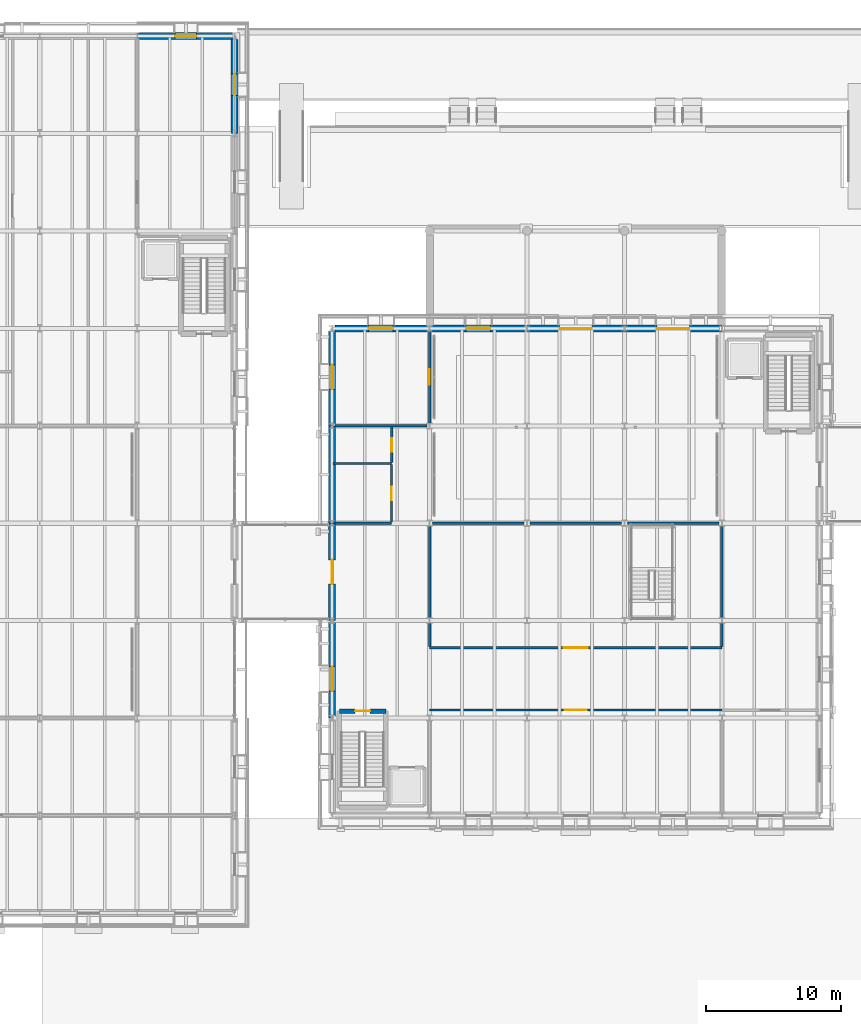
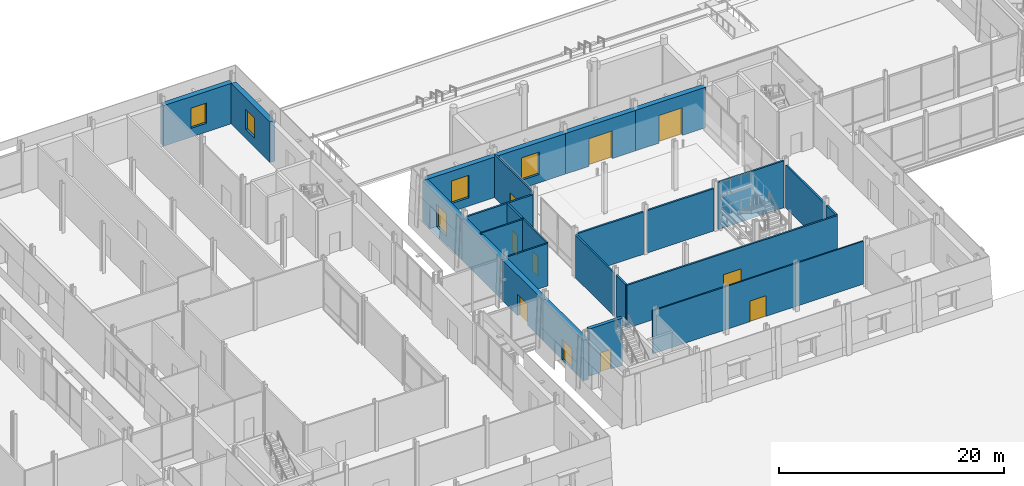
# One storey, part 76 of 120: 26 walls, 10 doors, 5 windows, 15 openings.
"""IFC4 building model written with IfcOpenShell, lengths in metres."""

from ifc_helpers import new_model, si_unit, direction, frame, frame_2d, origin, place, context, subcontext, project, spatial, rectangle, extrude, material, layer, layer_set, type_object, element, fill, save


model = new_model("IFC4")

# Units and contexts
model_context = context("Model", 3, precision=1e-05, world=origin(), true_north=direction((0.0, 1.0)))
body_context = subcontext(model_context, "Body", "Model", "MODEL_VIEW")
ifc_project = project(units=[si_unit("LENGTHUNIT", "METRE"), si_unit("AREAUNIT", "SQUARE_METRE"), si_unit("VOLUMEUNIT", "CUBIC_METRE"), si_unit("PLANEANGLEUNIT", "RADIAN"), si_unit("MASSUNIT", "GRAM", prefix="KILO")], contexts=[model_context])

# Site, building, storey
site_placement = place(None, origin())
site = spatial("IfcSite", under=ifc_project, at=site_placement, CompositionType="ELEMENT")
building_placement = place(site_placement, origin())
building = spatial("IfcBuilding", under=site, at=building_placement, Name="Narikvali Park Central Library", CompositionType="ELEMENT")
storey_placement = place(building_placement, origin())
storey = spatial("IfcBuildingStorey", under=building, at=storey_placement, Name="L00", CompositionType="ELEMENT", Elevation=0.0)

# Walls
ifc_material_1 = material(Name="Moisture-Resistant Cement Board on Steel Studs", Category="steel")
ifc_layer_1 = layer(ifc_material_1, 0.14990234375, Name="Moisture-Resistant Cement Board on Steel Studs")
ifc_layer_set_1 = layer_set([ifc_layer_1], Name="Moisture-Resistant Cement Board on Steel Studs")
wall_type_1 = type_object("IfcWallType", Name="Moisture-Resistant WC Partition 150", PredefinedType="PARTITIONING", material=ifc_layer_set_1)
wall_1_placement = place(storey_placement, frame((65.00439453125, 79.199951171875, 0.0), z_axis=(0.0, 0.0, 1.0), x_axis=(1.0, 0.0, 0.0)))
element("IfcWall", 1, at=wall_1_placement, inside=storey, type_object=wall_type_1, Name="Public Restrooms and Accessible WC L00 Partition S", PredefinedType="PARTITIONING", context=body_context, shape_type="SweptSolid", body=[
    extrude(rectangle(XDim=4.195556640625, YDim=0.14990234375, at=frame_2d((2.09765625, 0.0))), origin(), (0.0, 0.0, 1.0), 4.60498046875),
])
wall_2_placement = place(storey_placement, frame((64.85498046875, 83.60009765625, 0.0), z_axis=(0.0, 0.0, 1.0), x_axis=(1.0, 0.0, 0.0)))
element("IfcWall", 2, at=wall_2_placement, inside=storey, type_object=wall_type_1, Name="Public Restrooms and Accessible WC L00 Partition N", PredefinedType="PARTITIONING", context=body_context, shape_type="SweptSolid", body=[
    extrude(rectangle(XDim=4.344970703125, YDim=0.14990234375, at=frame_2d((2.17236328125, 0.0))), origin(), (0.0, 0.0, 1.0), 4.554931640625),
])

# Wall, opening, door
wall_3_placement = place(storey_placement, frame((69.199951171875, 79.277099609375, 0.0), z_axis=(0.0, 0.0, 1.0), x_axis=(0.0, 1.0, 0.0)))
wall_3 = element("IfcWall", 3, at=wall_3_placement, inside=storey, type_object=wall_type_1, Name="Public Restrooms and Accessible WC L00 Partition E", PredefinedType="PARTITIONING", context=body_context, shape_type="SweptSolid", body=[
    extrude(rectangle(XDim=4.245849609375, YDim=0.14990234375, at=frame_2d((2.123046875, 0.0))), origin(), (0.0, 0.0, 1.0), 4.60498046875),
])
opening_1_placement = place(wall_3_placement, frame((1.633056640625, 0.0, 0.0)))
opening_1 = element("IfcOpeningElement", 4, at=opening_1_placement, cuts=wall_3, Name="Opening ID-0001", PredefinedType="OPENING", context=body_context, shape_type="SweptSolid", body=[
    extrude(rectangle(XDim=0.97998046875, YDim=2.10009765625, at=frame_2d((0.489990234375, 1.050048828125))), frame((0.0, 0.0869140625, 0.0), z_axis=(0.0, -1.0, 0.0), x_axis=(1.0, 0.0, 0.0)), (0.0, 0.0, 1.0), 0.173828125),
])
ifc_material_2 = material(Name="Laminate Faced Hardwood Core", Category="wood")
door_type_1 = type_object("IfcDoorType", Name="Accessible WC Outward-Opening Door 980x2100", OperationType="SINGLE_SWING_RIGHT", PredefinedType="DOOR", material=ifc_material_2)
door_1_placement = place(opening_1_placement, frame((0.97998046875, 0.0, 0.0), z_axis=(0.0, 0.0, 1.0), x_axis=(-1.0, 0.0, 0.0)))
door_1 = element("IfcDoor", 5, at=door_1_placement, inside=storey, type_object=door_type_1, Name="Public Restrooms and Accessible WC L00 Door ID-0001", OperationType="SINGLE_SWING_LEFT", OverallHeight=2.10009765625, OverallWidth=0.97998046875, PredefinedType="DOOR", context=body_context, shape_type="SweptSolid", body=[
    extrude(rectangle(XDim=0.97998046875, YDim=2.10009765625, at=frame_2d((0.489990234375, 1.050048828125))), frame((0.0, 0.02490234375, 0.0), z_axis=(0.0, -1.0, 0.0), x_axis=(1.0, 0.0, 0.0)), (0.0, 0.0, 1.0), 0.050048828125),
])
fill(opening_1, door_1)

ifc_material_3 = material(Name="Gypsum Board on Galvanised Steel Studs", Category="steel")
ifc_layer_2 = layer(ifc_material_3, 0.139892578125, Name="Gypsum Board on Galvanised Steel Studs")
ifc_layer_set_2 = layer_set([ifc_layer_2], Name="Gypsum Board on Galvanised Steel Studs")
wall_type_2 = type_object("IfcWallType", Name="Periodicals Partition Wall 140", PredefinedType="PARTITIONING", material=ifc_layer_set_2)
wall_4_placement = place(storey_placement, frame((72.0, 65.39990234375, 0.0), z_axis=(0.0, 0.0, 1.0), x_axis=(1.0, 0.0, 0.0)))
wall_4 = element("IfcWall", 6, at=wall_4_placement, inside=storey, type_object=wall_type_2, Name="Periodicals Reading Room Partition N", PredefinedType="PARTITIONING", context=body_context, shape_type="SweptSolid", body=[
    extrude(rectangle(XDim=21.60009765625, YDim=0.139892578125, at=frame_2d((10.800048828125, 0.0))), origin(), (0.0, 0.0, 1.0), 4.6650390625),
])
opening_2_placement = place(wall_4_placement, frame((9.97509765625, 0.0, 0.0)))
opening_2 = element("IfcOpeningElement", 7, at=opening_2_placement, cuts=wall_4, Name="Opening ID-0034", PredefinedType="OPENING", context=body_context, shape_type="SweptSolid", body=[
    extrude(rectangle(XDim=1.64990234375, YDim=2.25, at=frame_2d((0.824951171875, 1.125))), frame((0.0, 0.08203125, 0.0), z_axis=(0.0, -1.0, 0.0), x_axis=(1.0, 0.0, 0.0)), (0.0, 0.0, 1.0), 0.163818359375),
])
ifc_material_4 = material(Name="Caucasian Oak and Tempered Glass", Category="glass")
door_type_2 = type_object("IfcDoorType", Name="Open Stacks Double Glazed Door 1650x2250", OperationType="DOUBLE_DOOR_SINGLE_SWING", PredefinedType="DOOR", material=ifc_material_4)
door_2_placement = place(opening_2_placement, frame((1.64990234375, 0.0, 0.0), z_axis=(0.0, 0.0, 1.0), x_axis=(-1.0, 0.0, 0.0)))
door_2 = element("IfcDoor", 8, at=door_2_placement, inside=storey, type_object=door_type_2, Name="Periodicals Reading Room Door ID-0034", OperationType="DOUBLE_DOOR_SINGLE_SWING", OverallHeight=2.25, OverallWidth=1.64990234375, PredefinedType="DOOR", context=body_context, shape_type="SweptSolid", body=[
    extrude(rectangle(XDim=1.64990234375, YDim=2.25, at=frame_2d((0.824951171875, 1.125))), frame((0.0, 0.02490234375, 0.0), z_axis=(0.0, -1.0, 0.0), x_axis=(1.0, 0.0, 0.0)), (0.0, 0.0, 1.0), 0.050048828125),
])
fill(opening_2, door_2)

# Wall
ifc_material_5 = material(Name="Acoustic Gypsum on Steel Studs", Category="steel")
ifc_layer_3 = layer(ifc_material_5, 0.179931640625, Name="Acoustic Gypsum on Steel Studs")
ifc_layer_set_3 = layer_set([ifc_layer_3], Name="Acoustic Gypsum on Steel Studs")
wall_type_3 = type_object("IfcWallType", Name="Reading Room Acoustic Partition 180", PredefinedType="PARTITIONING", material=ifc_layer_set_3)
wall_5_placement = place(storey_placement, frame((65.00439453125, 86.39990234375, 0.0), z_axis=(0.0, 0.0, 1.0), x_axis=(1.0, 0.0, 0.0)))
element("IfcWall", 9, at=wall_5_placement, inside=storey, type_object=wall_type_3, Name="Fire Command Center Partition S", PredefinedType="PARTITIONING", context=body_context, shape_type="SweptSolid", body=[
    extrude(rectangle(XDim=6.78955078125, YDim=0.179931640625, at=frame_2d((3.394775390625, 0.0))), origin(), (0.0, 0.0, 1.0), 4.60498046875),
])

# Wall, opening, door
wall_6_placement = place(storey_placement, frame((72.0, 70.0, 0.0), z_axis=(0.0, 0.0, 1.0), x_axis=(1.0, 0.0, 0.0)))
wall_6 = element("IfcWall", 10, at=wall_6_placement, inside=storey, type_object=wall_type_3, Name="Bibliographic Catalogue Hall Partition S", PredefinedType="PARTITIONING", context=body_context, shape_type="SweptSolid", body=[
    extrude(rectangle(XDim=21.60009765625, YDim=0.179931640625, at=frame_2d((10.800048828125, 0.0))), origin(), (0.0, 0.0, 1.0), 4.6650390625),
])
opening_3_placement = place(wall_6_placement, frame((9.89990234375, 0.0, 0.0)))
opening_3 = element("IfcOpeningElement", 11, at=opening_3_placement, cuts=wall_6, Name="Opening ID-0035", PredefinedType="OPENING", context=body_context, shape_type="SweptSolid", body=[
    extrude(rectangle(XDim=1.800048828125, YDim=2.35009765625, at=frame_2d((0.89990234375, 1.175048828125))), frame((0.0, 0.10205078125, 0.0), z_axis=(0.0, -1.0, 0.0), x_axis=(1.0, 0.0, 0.0)), (0.0, 0.0, 1.0), 0.203857421875),
])
ifc_material_6 = material(Name="Solid Caucasian Oak and Acoustic Glass", Category="glass")
door_type_3 = type_object("IfcDoorType", Name="Reading Hall Double Oak Acoustic Door 1800x2350", OperationType="DOUBLE_DOOR_SINGLE_SWING", PredefinedType="DOOR", material=ifc_material_6)
door_3_placement = place(opening_3_placement, origin())
door_3 = element("IfcDoor", 12, at=door_3_placement, inside=storey, type_object=door_type_3, Name="Bibliographic Catalogue Hall Door ID-0035", OperationType="DOUBLE_DOOR_SINGLE_SWING", OverallHeight=2.35009765625, OverallWidth=1.800048828125, PredefinedType="DOOR", context=body_context, shape_type="SweptSolid", body=[
    extrude(rectangle(XDim=1.800048828125, YDim=2.35009765625, at=frame_2d((0.89990234375, 1.175048828125))), frame((0.0, 0.02490234375, 0.0), z_axis=(0.0, -1.0, 0.0), x_axis=(1.0, 0.0, 0.0)), (0.0, 0.0, 1.0), 0.050048828125),
])
fill(opening_3, door_3)

# Walls
wall_7_placement = place(storey_placement, frame((72.2060546875, 79.199951171875, 0.0), z_axis=(0.0, 0.0, 1.0), x_axis=(1.0, 0.0, 0.0)))
element("IfcWall", 13, at=wall_7_placement, inside=storey, type_object=wall_type_3, Name="Bibliographic Catalogue Hall Partition N", PredefinedType="PARTITIONING", context=body_context, shape_type="SweptSolid", body=[
    extrude(rectangle(XDim=6.787841796875, YDim=0.179931640625, at=frame_2d((3.39404296875, 0.0))), origin(), (0.0, 0.0, 1.0), 4.60498046875),
])
wall_8_placement = place(storey_placement, frame((79.406005859375, 79.199951171875, 0.0), z_axis=(0.0, 0.0, 1.0), x_axis=(1.0, 0.0, 0.0)))
element("IfcWall", 14, at=wall_8_placement, inside=storey, type_object=wall_type_3, Name="Bibliographic Catalogue Hall Partition N", PredefinedType="PARTITIONING", context=body_context, shape_type="SweptSolid", body=[
    extrude(rectangle(XDim=6.7880859375, YDim=0.179931640625, at=frame_2d((3.39404296875, 0.0))), origin(), (0.0, 0.0, 1.0), 4.60498046875),
])
wall_9_placement = place(storey_placement, frame((86.60595703125, 79.199951171875, 0.0), z_axis=(0.0, 0.0, 1.0), x_axis=(1.0, 0.0, 0.0)))
element("IfcWall", 15, at=wall_9_placement, inside=storey, type_object=wall_type_3, Name="Bibliographic Catalogue Hall Partition N", PredefinedType="PARTITIONING", context=body_context, shape_type="SweptSolid", body=[
    extrude(rectangle(XDim=6.7880859375, YDim=0.179931640625, at=frame_2d((3.39404296875, 0.0))), origin(), (0.0, 0.0, 1.0), 5.10498046875),
])

# Wall, opening, door
wall_10_placement = place(storey_placement, frame((72.0, 86.607421875, 0.0), z_axis=(0.0, 0.0, 1.0), x_axis=(0.0, 1.0, 0.0)))
wall_10 = element("IfcWall", 16, at=wall_10_placement, inside=storey, type_object=wall_type_3, Name="Fire Command Center Partition E", PredefinedType="PARTITIONING", context=body_context, shape_type="SweptSolid", body=[
    extrude(rectangle(XDim=6.7890625, YDim=0.179931640625, at=frame_2d((3.39453125, 0.0))), origin(), (0.0, 0.0, 1.0), 4.6650390625),
])
opening_4_placement = place(wall_10_placement, frame((2.819580078125, 0.0, 0.0)))
opening_4 = element("IfcOpeningElement", 17, at=opening_4_placement, cuts=wall_10, Name="Opening ID-0032", PredefinedType="OPENING", context=body_context, shape_type="SweptSolid", body=[
    extrude(rectangle(XDim=1.14990234375, YDim=2.199951171875, at=frame_2d((0.574951171875, 1.10009765625))), frame((0.0, 0.10205078125, 0.0), z_axis=(0.0, -1.0, 0.0), x_axis=(1.0, 0.0, 0.0)), (0.0, 0.0, 1.0), 0.203857421875),
])
ifc_material_7 = material(Name="Powder-Coated Steel S275", Category="steel")
door_type_4 = type_object("IfcDoorType", Name="Conservation Lab Clean Door 1150x2200", OperationType="SINGLE_SWING_RIGHT", PredefinedType="DOOR", material=ifc_material_7)
door_4_placement = place(opening_4_placement, origin())
door_4 = element("IfcDoor", 18, at=door_4_placement, inside=storey, type_object=door_type_4, Name="Fire Command Center Door ID-0032", OperationType="SINGLE_SWING_RIGHT", OverallHeight=2.199951171875, OverallWidth=1.14990234375, PredefinedType="DOOR", context=body_context, shape_type="SweptSolid", body=[
    extrude(rectangle(XDim=1.14990234375, YDim=2.199951171875, at=frame_2d((0.574951171875, 1.10009765625))), frame((0.0, 0.02490234375, 0.0), z_axis=(0.0, -1.0, 0.0), x_axis=(1.0, 0.0, 0.0)), (0.0, 0.0, 1.0), 0.050048828125),
])
fill(opening_4, door_4)

wall_11_placement = place(storey_placement, frame((69.199951171875, 83.677001953125, 0.0), z_axis=(0.0, 0.0, 1.0), x_axis=(0.0, 1.0, 0.0)))
wall_11 = element("IfcWall", 19, at=wall_11_placement, inside=storey, type_object=wall_type_3, Name="Ground Custodial Closet Partition E", PredefinedType="PARTITIONING", context=body_context, shape_type="SweptSolid", body=[
    extrude(rectangle(XDim=2.631103515625, YDim=0.179931640625, at=frame_2d((1.3154296875, 0.0))), origin(), (0.0, 0.0, 1.0), 4.60498046875),
])
opening_5_placement = place(wall_11_placement, frame((0.8154296875, 0.0, 0.0)))
opening_5 = element("IfcOpeningElement", 20, at=opening_5_placement, cuts=wall_11, Name="Opening ID-0033", PredefinedType="OPENING", context=body_context, shape_type="SweptSolid", body=[
    extrude(rectangle(XDim=1.0, YDim=2.14990234375, at=frame_2d((0.5, 1.074951171875))), frame((0.0, 0.10205078125, 0.0), z_axis=(0.0, -1.0, 0.0), x_axis=(1.0, 0.0, 0.0)), (0.0, 0.0, 1.0), 0.203857421875),
])
ifc_material_8 = material(Name="Solid Caucasian Oak")
door_type_5 = type_object("IfcDoorType", Name="Study Room Single Oak Door 1000x2150", OperationType="SINGLE_SWING_LEFT", PredefinedType="DOOR", material=ifc_material_8)
door_5_placement = place(opening_5_placement, origin())
door_5 = element("IfcDoor", 21, at=door_5_placement, inside=storey, type_object=door_type_5, Name="Ground Custodial Closet Door ID-0033", OperationType="SINGLE_SWING_LEFT", OverallHeight=2.14990234375, OverallWidth=1.0, PredefinedType="DOOR", context=body_context, shape_type="SweptSolid", body=[
    extrude(rectangle(XDim=1.0, YDim=2.14990234375, at=frame_2d((0.5, 1.074951171875))), frame((0.0, 0.02490234375, 0.0), z_axis=(0.0, -1.0, 0.0), x_axis=(1.0, 0.0, 0.0)), (0.0, 0.0, 1.0), 0.050048828125),
])
fill(opening_5, door_5)

# Walls
wall_12_placement = place(storey_placement, frame((72.0, 70.092041015625, 0.0), z_axis=(0.0, 0.0, 1.0), x_axis=(0.0, 1.0, 0.0)))
element("IfcWall", 22, at=wall_12_placement, inside=storey, type_object=wall_type_3, Name="Bibliographic Catalogue Hall Partition W", PredefinedType="PARTITIONING", context=body_context, shape_type="SweptSolid", body=[
    extrude(rectangle(XDim=1.700439453125, YDim=0.179931640625, at=frame_2d((0.85009765625, 0.0))), origin(), (0.0, 0.0, 1.0), 4.6650390625),
])
wall_13_placement = place(storey_placement, frame((72.0, 72.20751953125, 0.0), z_axis=(0.0, 0.0, 1.0), x_axis=(0.0, 1.0, 0.0)))
element("IfcWall", 23, at=wall_13_placement, inside=storey, type_object=wall_type_3, Name="Bibliographic Catalogue Hall Partition W", PredefinedType="PARTITIONING", context=body_context, shape_type="SweptSolid", body=[
    extrude(rectangle(XDim=6.784912109375, YDim=0.179931640625, at=frame_2d((3.392578125, 0.0))), origin(), (0.0, 0.0, 1.0), 4.6650390625),
])
wall_14_placement = place(storey_placement, frame((93.60009765625, 70.092041015625, 0.0), z_axis=(0.0, 0.0, 1.0), x_axis=(0.0, 1.0, 0.0)))
element("IfcWall", 24, at=wall_14_placement, inside=storey, type_object=wall_type_3, Name="Bibliographic Catalogue Hall Partition E", PredefinedType="PARTITIONING", context=body_context, shape_type="SweptSolid", body=[
    extrude(rectangle(XDim=1.700439453125, YDim=0.179931640625, at=frame_2d((0.85009765625, 0.0))), origin(), (0.0, 0.0, 1.0), 4.6650390625),
])
wall_15_placement = place(storey_placement, frame((93.60009765625, 72.20751953125, 0.0), z_axis=(0.0, 0.0, 1.0), x_axis=(0.0, 1.0, 0.0)))
element("IfcWall", 25, at=wall_15_placement, inside=storey, type_object=wall_type_3, Name="Bibliographic Catalogue Hall Partition E", PredefinedType="PARTITIONING", context=body_context, shape_type="SweptSolid", body=[
    extrude(rectangle(XDim=6.784912109375, YDim=0.179931640625, at=frame_2d((3.392578125, 0.0))), origin(), (0.0, 0.0, 1.0), 4.6650390625),
])

# Wall, opening, door
ifc_material_9 = material(Name="Concrete C40/50", Category="concrete")
ifc_layer_4 = layer(ifc_material_9, 0.35009765625, Name="Concrete C40/50")
ifc_layer_set_4 = layer_set([ifc_layer_4], Name="Concrete C40/50")
wall_type_4 = type_object("IfcWallType", Name="Reinforced Concrete Core Shear Wall 350", PredefinedType="SHEAR", material=ifc_layer_set_4)
wall_16_placement = place(storey_placement, frame((68.77001953125, 65.320068359375, 0.0), z_axis=(0.0, 0.0, 1.0), x_axis=(-1.0, 0.0, 0.0)))
wall_16 = element("IfcWall", 26, at=wall_16_placement, inside=storey, type_object=wall_type_4, Name="C1A L00 Stair Core Shear Wall N", PredefinedType="SHEAR", context=body_context, shape_type="SweptSolid", body=[
    extrude(rectangle(XDim=3.43994140625, YDim=0.35009765625, at=frame_2d((1.719970703125, 0.0))), origin(), (0.0, 0.0, 1.0), 5.1201171875),
])
opening_6_placement = place(wall_16_placement, frame((1.169921875, 0.0, 0.0)))
opening_6 = element("IfcOpeningElement", 27, at=opening_6_placement, cuts=wall_16, Name="Opening SD-002", PredefinedType="OPENING", context=body_context, shape_type="SweptSolid", body=[
    extrude(rectangle(XDim=1.10009765625, YDim=2.14990234375, at=frame_2d((0.550048828125, 1.074951171875))), frame((0.0, 0.18701171875, 0.0), z_axis=(0.0, -1.0, 0.0), x_axis=(1.0, 0.0, 0.0)), (0.0, 0.0, 1.0), 0.3740234375),
])
ifc_material_10 = material(Name="Powder-Coated Steel S275 Fire Leaf", Category="steel")
door_type_6 = type_object("IfcDoorType", Name="Stair Core Smoke-Control Fire Door 1100x2150", OperationType="SINGLE_SWING_LEFT", PredefinedType="DOOR", material=ifc_material_10)
door_6_placement = place(opening_6_placement, frame((1.10009765625, 0.0, 0.0), z_axis=(0.0, 0.0, 1.0), x_axis=(-1.0, 0.0, 0.0)))
door_6 = element("IfcDoor", 28, at=door_6_placement, inside=storey, type_object=door_type_6, Name="ST-01 L00 Stair Exit Door SD-002", OperationType="SINGLE_SWING_RIGHT", OverallHeight=2.14990234375, OverallWidth=1.10009765625, PredefinedType="DOOR", context=body_context, shape_type="SweptSolid", body=[
    extrude(rectangle(XDim=1.10009765625, YDim=2.14990234375, at=frame_2d((0.550048828125, 1.074951171875))), frame((0.0, 0.02490234375, 0.0), z_axis=(0.0, -1.0, 0.0), x_axis=(1.0, 0.0, 0.0)), (0.0, 0.0, 1.0), 0.050048828125),
])
fill(opening_6, door_6)

ifc_material_11 = material(Name="White Rusticated Limestone over Concrete C35/45", Category="masonry")
ifc_layer_5 = layer(ifc_material_11, 0.52001953125, Name="White Rusticated Limestone over Concrete C35/45")
ifc_layer_set_5 = layer_set([ifc_layer_5], Name="White Rusticated Limestone over Concrete C35/45")
wall_type_5 = type_object("IfcWallType", Name="White Limestone Ashlar Plinth Wall 520", PredefinedType="SOLIDWALL", material=ifc_layer_set_5)
wall_17_placement = place(storey_placement, frame((93.60009765625, 93.60009765625, 0.0), z_axis=(0.0, 0.0, 1.0), x_axis=(-1.0, 0.0, 0.0)))
wall_17 = element("IfcWall", 29, at=wall_17_placement, inside=storey, type_object=wall_type_5, Name="V1 L00 N Exterior Limestone Wall B02", PredefinedType="SOLIDWALL", context=body_context, shape_type="SweptSolid", body=[
    extrude(rectangle(XDim=7.2001953125, YDim=0.52001953125, at=frame_2d((3.60009765625, 0.0))), origin(), (0.0, 0.0, 1.0), 4.39990234375),
])
opening_7_placement = place(wall_17_placement, frame((2.39990234375, 0.0, 0.0)))
opening_7 = element("IfcOpeningElement", 30, at=opening_7_placement, cuts=wall_17, Name="Opening ED-003", PredefinedType="OPENING", context=body_context, shape_type="SweptSolid", body=[
    extrude(rectangle(XDim=2.39990234375, YDim=3.0, at=frame_2d((1.199951171875, 1.5))), frame((0.0, 0.27197265625, 0.0), z_axis=(0.0, -1.0, 0.0), x_axis=(1.0, 0.0, 0.0)), (0.0, 0.0, 1.0), 0.5439453125),
])
ifc_material_12 = material(Name="Anodised Architectural Bronze and Tempered Glass", Category="glass")
door_type_7 = type_object("IfcDoorType", Name="Grand Beaux-Arts Bronze Double Entrance Door 2400x3000", OperationType="DOUBLE_DOOR_SINGLE_SWING", PredefinedType="DOOR", material=ifc_material_12)
door_7_placement = place(opening_7_placement, frame((2.39990234375, 0.0, 0.0), z_axis=(0.0, 0.0, 1.0), x_axis=(-1.0, 0.0, 0.0)))
door_7 = element("IfcDoor", 31, at=door_7_placement, inside=storey, type_object=door_type_7, Name="Grand Rotunda Entrance Door ED-003", OperationType="DOUBLE_DOOR_SINGLE_SWING", OverallHeight=3.0, OverallWidth=2.39990234375, PredefinedType="DOOR", context=body_context, shape_type="SweptSolid", body=[
    extrude(rectangle(XDim=2.39990234375, YDim=3.0, at=frame_2d((1.199951171875, 1.5))), frame((0.0, 0.02490234375, 0.0), z_axis=(0.0, -1.0, 0.0), x_axis=(1.0, 0.0, 0.0)), (0.0, 0.0, 1.0), 0.050048828125),
])
fill(opening_7, door_7)

wall_18_placement = place(storey_placement, frame((86.39990234375, 93.60009765625, 0.0), z_axis=(0.0, 0.0, 1.0), x_axis=(-1.0, 0.0, 0.0)))
wall_18 = element("IfcWall", 32, at=wall_18_placement, inside=storey, type_object=wall_type_5, Name="V1 L00 N Exterior Limestone Wall B03", PredefinedType="SOLIDWALL", context=body_context, shape_type="SweptSolid", body=[
    extrude(rectangle(XDim=7.199951171875, YDim=0.52001953125, at=frame_2d((3.60009765625, 0.0))), origin(), (0.0, 0.0, 1.0), 4.39990234375),
])
opening_8_placement = place(wall_18_placement, frame((2.39990234375, 0.0, 0.0)))
opening_8 = element("IfcOpeningElement", 33, at=opening_8_placement, cuts=wall_18, Name="Opening ED-004", PredefinedType="OPENING", context=body_context, shape_type="SweptSolid", body=[
    extrude(rectangle(XDim=2.39990234375, YDim=3.0, at=frame_2d((1.199951171875, 1.5))), frame((0.0, 0.27197265625, 0.0), z_axis=(0.0, -1.0, 0.0), x_axis=(1.0, 0.0, 0.0)), (0.0, 0.0, 1.0), 0.5439453125),
])
door_8_placement = place(opening_8_placement, frame((2.39990234375, 0.0, 0.0), z_axis=(0.0, 0.0, 1.0), x_axis=(-1.0, 0.0, 0.0)))
door_8 = element("IfcDoor", 34, at=door_8_placement, inside=storey, type_object=door_type_7, Name="Grand Rotunda Entrance Door ED-004", OperationType="DOUBLE_DOOR_SINGLE_SWING", OverallHeight=3.0, OverallWidth=2.39990234375, PredefinedType="DOOR", context=body_context, shape_type="SweptSolid", body=[
    extrude(rectangle(XDim=2.39990234375, YDim=3.0, at=frame_2d((1.199951171875, 1.5))), frame((0.0, 0.02490234375, 0.0), z_axis=(0.0, -1.0, 0.0), x_axis=(1.0, 0.0, 0.0)), (0.0, 0.0, 1.0), 0.050048828125),
])
fill(opening_8, door_8)

# Wall, opening, window
wall_19_placement = place(storey_placement, frame((79.199951171875, 93.60009765625, 0.0), z_axis=(0.0, 0.0, 1.0), x_axis=(-1.0, 0.0, 0.0)))
wall_19 = element("IfcWall", 35, at=wall_19_placement, inside=storey, type_object=wall_type_5, Name="V1 L00 N Exterior Limestone Wall B04", PredefinedType="SOLIDWALL", context=body_context, shape_type="SweptSolid", body=[
    extrude(rectangle(XDim=7.199951171875, YDim=0.52001953125, at=frame_2d((3.60009765625, 0.0))), origin(), (0.0, 0.0, 1.0), 4.39990234375),
])
opening_9_placement = place(wall_19_placement, frame((2.699951171875, 0.0, 0.89990234375)))
opening_9 = element("IfcOpeningElement", 36, at=opening_9_placement, cuts=wall_19, Name="Opening WIN-0007", PredefinedType="OPENING", context=body_context, shape_type="SweptSolid", body=[
    extrude(rectangle(XDim=1.800048828125, YDim=2.449951171875, at=frame_2d((0.89990234375, 1.22509765625))), frame((0.0, 0.27197265625, 0.0), z_axis=(0.0, -1.0, 0.0), x_axis=(1.0, 0.0, 0.0)), (0.0, 0.0, 1.0), 0.5439453125),
])
ifc_material_13 = material(Name="Anodised Bronze Aluminium and Low-E Triple Glazing", Category="aluminium")
window_type_1 = type_object("IfcWindowType", Name="Rotunda Piano Nobile Tall Classical Window 1800x2450", PartitioningType="DOUBLE_PANEL_VERTICAL", PredefinedType="WINDOW", material=ifc_material_13)
window_1_placement = place(opening_9_placement, origin())
window_1 = element("IfcWindow", 37, at=window_1_placement, inside=storey, type_object=window_type_1, Name="V1 L00 N Deep-Reveal Window WIN-0007", OverallHeight=2.449951171875, OverallWidth=1.800048828125, PartitioningType="SINGLE_PANEL", PredefinedType="WINDOW", context=body_context, shape_type="SweptSolid", body=[
    extrude(rectangle(XDim=1.800048828125, YDim=2.449951171875, at=frame_2d((0.89990234375, 1.22509765625))), frame((0.0, 0.030029296875, 0.0), z_axis=(0.0, -1.0, 0.0), x_axis=(1.0, 0.0, 0.0)), (0.0, 0.0, 1.0), 0.06005859375),
])
fill(opening_9, window_1)

wall_20_placement = place(storey_placement, frame((72.0, 93.60009765625, 0.0), z_axis=(0.0, 0.0, 1.0), x_axis=(-1.0, 0.0, 0.0)))
wall_20 = element("IfcWall", 38, at=wall_20_placement, inside=storey, type_object=wall_type_5, Name="V1 L00 N Exterior Limestone Wall B05", PredefinedType="SOLIDWALL", context=body_context, shape_type="SweptSolid", body=[
    extrude(rectangle(XDim=6.99560546875, YDim=0.52001953125, at=frame_2d((3.497802734375, 0.0))), origin(), (0.0, 0.0, 1.0), 4.39990234375),
])
opening_10_placement = place(wall_20_placement, frame((2.699951171875, 0.0, 0.89990234375)))
opening_10 = element("IfcOpeningElement", 39, at=opening_10_placement, cuts=wall_20, Name="Opening WIN-0008", PredefinedType="OPENING", context=body_context, shape_type="SweptSolid", body=[
    extrude(rectangle(XDim=1.800048828125, YDim=2.449951171875, at=frame_2d((0.89990234375, 1.22509765625))), frame((0.0, 0.27197265625, 0.0), z_axis=(0.0, -1.0, 0.0), x_axis=(1.0, 0.0, 0.0)), (0.0, 0.0, 1.0), 0.5439453125),
])
window_2_placement = place(opening_10_placement, origin())
window_2 = element("IfcWindow", 40, at=window_2_placement, inside=storey, type_object=window_type_1, Name="V1 L00 N Deep-Reveal Window WIN-0008", OverallHeight=2.449951171875, OverallWidth=1.800048828125, PartitioningType="SINGLE_PANEL", PredefinedType="WINDOW", context=body_context, shape_type="SweptSolid", body=[
    extrude(rectangle(XDim=1.800048828125, YDim=2.449951171875, at=frame_2d((0.89990234375, 1.22509765625))), frame((0.0, 0.030029296875, 0.0), z_axis=(0.0, -1.0, 0.0), x_axis=(1.0, 0.0, 0.0)), (0.0, 0.0, 1.0), 0.06005859375),
])
fill(opening_10, window_2)

wall_21_placement = place(storey_placement, frame((64.800048828125, 93.396484375, 0.0), z_axis=(0.0, 0.0, 1.0), x_axis=(0.0, -1.0, 0.0)))
wall_21 = element("IfcWall", 41, at=wall_21_placement, inside=storey, type_object=wall_type_5, Name="V1 L00 W Exterior Limestone Wall B01", PredefinedType="SOLIDWALL", context=body_context, shape_type="SweptSolid", body=[
    extrude(rectangle(XDim=6.99658203125, YDim=0.52001953125, at=frame_2d((3.498291015625, 0.0))), origin(), (0.0, 0.0, 1.0), 4.39990234375),
])
opening_11_placement = place(wall_21_placement, frame((2.49658203125, 0.0, 0.89990234375)))
opening_11 = element("IfcOpeningElement", 42, at=opening_11_placement, cuts=wall_21, Name="Opening WIN-0009", PredefinedType="OPENING", context=body_context, shape_type="SweptSolid", body=[
    extrude(rectangle(XDim=1.800048828125, YDim=2.449951171875, at=frame_2d((0.89990234375, 1.22509765625))), frame((0.0, 0.27197265625, 0.0), z_axis=(0.0, -1.0, 0.0), x_axis=(1.0, 0.0, 0.0)), (0.0, 0.0, 1.0), 0.5439453125),
])
window_3_placement = place(opening_11_placement, origin())
window_3 = element("IfcWindow", 43, at=window_3_placement, inside=storey, type_object=window_type_1, Name="V1 L00 W Deep-Reveal Window WIN-0009", OverallHeight=2.449951171875, OverallWidth=1.800048828125, PartitioningType="SINGLE_PANEL", PredefinedType="WINDOW", context=body_context, shape_type="SweptSolid", body=[
    extrude(rectangle(XDim=1.800048828125, YDim=2.449951171875, at=frame_2d((0.89990234375, 1.22509765625))), frame((0.0, 0.030029296875, 0.0), z_axis=(0.0, -1.0, 0.0), x_axis=(1.0, 0.0, 0.0)), (0.0, 0.0, 1.0), 0.06005859375),
])
fill(opening_11, window_3)

# Wall
wall_22_placement = place(storey_placement, frame((64.800048828125, 86.39990234375, 0.0), z_axis=(0.0, 0.0, 1.0), x_axis=(0.0, -1.0, 0.0)))
element("IfcWall", 44, at=wall_22_placement, inside=storey, type_object=wall_type_5, Name="V1 L00 W Exterior Limestone Wall B02", PredefinedType="SOLIDWALL", context=body_context, shape_type="SweptSolid", body=[
    extrude(rectangle(XDim=7.199951171875, YDim=0.52001953125, at=frame_2d((3.60009765625, 0.0))), origin(), (0.0, 0.0, 1.0), 4.39990234375),
])

# Wall, opening, door
wall_23_placement = place(storey_placement, frame((64.800048828125, 79.199951171875, 0.0), z_axis=(0.0, 0.0, 1.0), x_axis=(0.0, -1.0, 0.0)))
wall_23 = element("IfcWall", 45, at=wall_23_placement, inside=storey, type_object=wall_type_5, Name="V1 L00 W Exterior Limestone Wall B03", PredefinedType="SOLIDWALL", context=body_context, shape_type="SweptSolid", body=[
    extrude(rectangle(XDim=7.199951171875, YDim=0.52001953125, at=frame_2d((3.60009765625, 0.0))), origin(), (0.0, 0.0, 1.0), 4.39990234375),
])
opening_12_placement = place(wall_23_placement, frame((2.699951171875, 0.0, 0.0)))
opening_12 = element("IfcOpeningElement", 46, at=opening_12_placement, cuts=wall_23, Name="Opening BD-005", PredefinedType="OPENING", context=body_context, shape_type="SweptSolid", body=[
    extrude(rectangle(XDim=1.800048828125, YDim=2.300048828125, at=frame_2d((0.89990234375, 1.14990234375))), frame((0.0, 0.27197265625, 0.0), z_axis=(0.0, -1.0, 0.0), x_axis=(1.0, 0.0, 0.0)), (0.0, 0.0, 1.0), 0.5439453125),
])
ifc_material_14 = material(Name="Fire-Rated Glazing in Steel S275 Frame", Category="steel")
door_type_8 = type_object("IfcDoorType", Name="Glazed Double Corridor Bridge Fire Door 1800x2300", OperationType="DOUBLE_DOOR_SINGLE_SWING", PredefinedType="DOOR", material=ifc_material_14)
door_9_placement = place(opening_12_placement, frame((1.800048828125, 0.0, 0.0), z_axis=(0.0, 0.0, 1.0), x_axis=(-1.0, 0.0, 0.0)))
door_9 = element("IfcDoor", 47, at=door_9_placement, inside=storey, type_object=door_type_8, Name="V1 L00 Covered Bridge Fire Door BD-005", OperationType="DOUBLE_DOOR_SINGLE_SWING", OverallHeight=2.300048828125, OverallWidth=1.800048828125, PredefinedType="DOOR", context=body_context, shape_type="SweptSolid", body=[
    extrude(rectangle(XDim=1.800048828125, YDim=2.300048828125, at=frame_2d((0.89990234375, 1.14990234375))), frame((0.0, 0.02490234375, 0.0), z_axis=(0.0, -1.0, 0.0), x_axis=(1.0, 0.0, 0.0)), (0.0, 0.0, 1.0), 0.050048828125),
])
fill(opening_12, door_9)

wall_24_placement = place(storey_placement, frame((64.800048828125, 72.0, 0.0), z_axis=(0.0, 0.0, 1.0), x_axis=(0.0, -1.0, 0.0)))
wall_24 = element("IfcWall", 48, at=wall_24_placement, inside=storey, type_object=wall_type_5, Name="V1 L00 W Exterior Limestone Wall B04", PredefinedType="SOLIDWALL", context=body_context, shape_type="SweptSolid", body=[
    extrude(rectangle(XDim=7.199951171875, YDim=0.52001953125, at=frame_2d((3.60009765625, 0.0))), origin(), (0.0, 0.0, 1.0), 4.39990234375),
])
opening_13_placement = place(wall_24_placement, frame((3.39990234375, 0.0, 0.0)))
opening_13 = element("IfcOpeningElement", 49, at=opening_13_placement, cuts=wall_24, Name="Opening ED-006", PredefinedType="OPENING", context=body_context, shape_type="SweptSolid", body=[
    extrude(rectangle(XDim=1.800048828125, YDim=2.199951171875, at=frame_2d((0.89990234375, 1.10009765625))), frame((0.0, 0.27197265625, 0.0), z_axis=(0.0, -1.0, 0.0), x_axis=(1.0, 0.0, 0.0)), (0.0, 0.0, 1.0), 0.5439453125),
])
ifc_material_15 = material(Name="Powder-Coated Galvanised Steel S275", Category="steel")
door_type_9 = type_object("IfcDoorType", Name="Exterior Final Exit Double Fire Door 1800x2200", OperationType="DOUBLE_DOOR_SINGLE_SWING", PredefinedType="DOOR", material=ifc_material_15)
door_10_placement = place(opening_13_placement, frame((1.800048828125, 0.0, 0.0), z_axis=(0.0, 0.0, 1.0), x_axis=(-1.0, 0.0, 0.0)))
door_10 = element("IfcDoor", 50, at=door_10_placement, inside=storey, type_object=door_type_9, Name="V1 Ground Final Exit Discharge Door ED-006", OperationType="DOUBLE_DOOR_SINGLE_SWING", OverallHeight=2.199951171875, OverallWidth=1.800048828125, PredefinedType="DOOR", context=body_context, shape_type="SweptSolid", body=[
    extrude(rectangle(XDim=1.800048828125, YDim=2.199951171875, at=frame_2d((0.89990234375, 1.10009765625))), frame((0.0, 0.02490234375, 0.0), z_axis=(0.0, -1.0, 0.0), x_axis=(1.0, 0.0, 0.0)), (0.0, 0.0, 1.0), 0.050048828125),
])
fill(opening_13, door_10)

# Wall, opening, window
wall_25_placement = place(storey_placement, frame((57.60009765625, 108.0, 0.0), z_axis=(0.0, 0.0, 1.0), x_axis=(0.0, 1.0, 0.0)))
wall_25 = element("IfcWall", 51, at=wall_25_placement, inside=storey, type_object=wall_type_5, Name="V4 L00 E Exterior Limestone Wall B09", PredefinedType="SOLIDWALL", context=body_context, shape_type="SweptSolid", body=[
    extrude(rectangle(XDim=6.946044921875, YDim=0.52001953125, at=frame_2d((3.47314453125, 0.0))), origin(), (0.0, 0.0, 1.0), 4.39990234375),
])
opening_14_placement = place(wall_25_placement, frame((2.800048828125, 0.0, 0.949951171875)))
opening_14 = element("IfcOpeningElement", 52, at=opening_14_placement, cuts=wall_25, Name="Opening WIN-0135", PredefinedType="OPENING", context=body_context, shape_type="SweptSolid", body=[
    extrude(rectangle(XDim=1.60009765625, YDim=2.199951171875, at=frame_2d((0.800048828125, 1.10009765625))), frame((0.0, 0.27197265625, 0.0), z_axis=(0.0, -1.0, 0.0), x_axis=(1.0, 0.0, 0.0)), (0.0, 0.0, 1.0), 0.5439453125),
])
window_type_2 = type_object("IfcWindowType", Name="Atrium Reading Wing Classical Window 1600x2200", PartitioningType="DOUBLE_PANEL_VERTICAL", PredefinedType="WINDOW", material=ifc_material_13)
window_4_placement = place(opening_14_placement, origin())
window_4 = element("IfcWindow", 53, at=window_4_placement, inside=storey, type_object=window_type_2, Name="V4 L00 E Deep-Reveal Window WIN-0135", OverallHeight=2.199951171875, OverallWidth=1.60009765625, PartitioningType="SINGLE_PANEL", PredefinedType="WINDOW", context=body_context, shape_type="SweptSolid", body=[
    extrude(rectangle(XDim=1.60009765625, YDim=2.199951171875, at=frame_2d((0.800048828125, 1.10009765625))), frame((0.0, 0.030029296875, 0.0), z_axis=(0.0, -1.0, 0.0), x_axis=(1.0, 0.0, 0.0)), (0.0, 0.0, 1.0), 0.06005859375),
])
fill(opening_14, window_4)

wall_26_placement = place(storey_placement, frame((57.446044921875, 115.199951171875, 0.0), z_axis=(0.0, 0.0, 1.0), x_axis=(-1.0, 0.0, 0.0)))
wall_26 = element("IfcWall", 54, at=wall_26_placement, inside=storey, type_object=wall_type_5, Name="V4 L00 N Exterior Limestone Wall B01", PredefinedType="SOLIDWALL", context=body_context, shape_type="SweptSolid", body=[
    extrude(rectangle(XDim=7.046142578125, YDim=0.52001953125, at=frame_2d((3.52294921875, 0.0))), origin(), (0.0, 0.0, 1.0), 4.39990234375),
])
opening_15_placement = place(wall_26_placement, frame((2.64599609375, 0.0, 0.949951171875)))
opening_15 = element("IfcOpeningElement", 55, at=opening_15_placement, cuts=wall_26, Name="Opening WIN-0136", PredefinedType="OPENING", context=body_context, shape_type="SweptSolid", body=[
    extrude(rectangle(XDim=1.60009765625, YDim=2.199951171875, at=frame_2d((0.800048828125, 1.10009765625))), frame((0.0, 0.27197265625, 0.0), z_axis=(0.0, -1.0, 0.0), x_axis=(1.0, 0.0, 0.0)), (0.0, 0.0, 1.0), 0.5439453125),
])
window_5_placement = place(opening_15_placement, origin())
window_5 = element("IfcWindow", 56, at=window_5_placement, inside=storey, type_object=window_type_2, Name="V4 L00 N Deep-Reveal Window WIN-0136", OverallHeight=2.199951171875, OverallWidth=1.60009765625, PartitioningType="SINGLE_PANEL", PredefinedType="WINDOW", context=body_context, shape_type="SweptSolid", body=[
    extrude(rectangle(XDim=1.60009765625, YDim=2.199951171875, at=frame_2d((0.800048828125, 1.10009765625))), frame((0.0, 0.030029296875, 0.0), z_axis=(0.0, -1.0, 0.0), x_axis=(1.0, 0.0, 0.0)), (0.0, 0.0, 1.0), 0.06005859375),
])
fill(opening_15, window_5)

save(model, "model.ifc")
